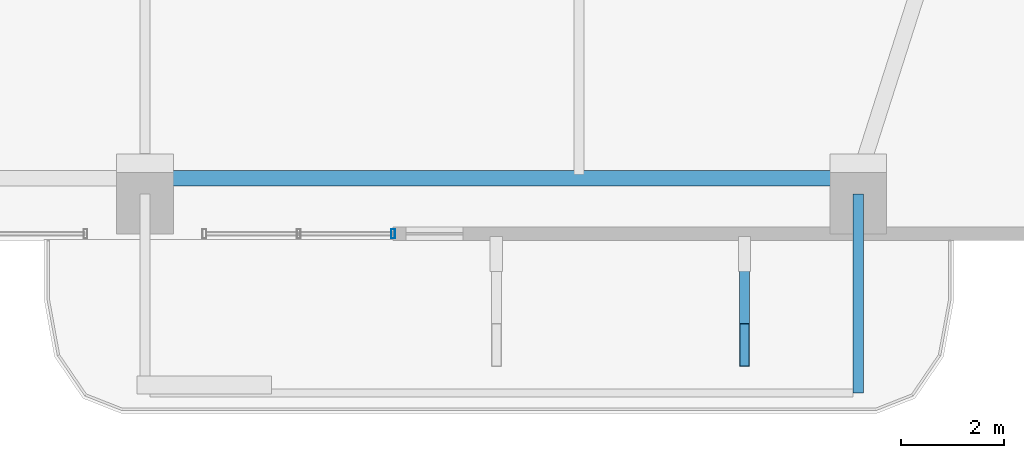
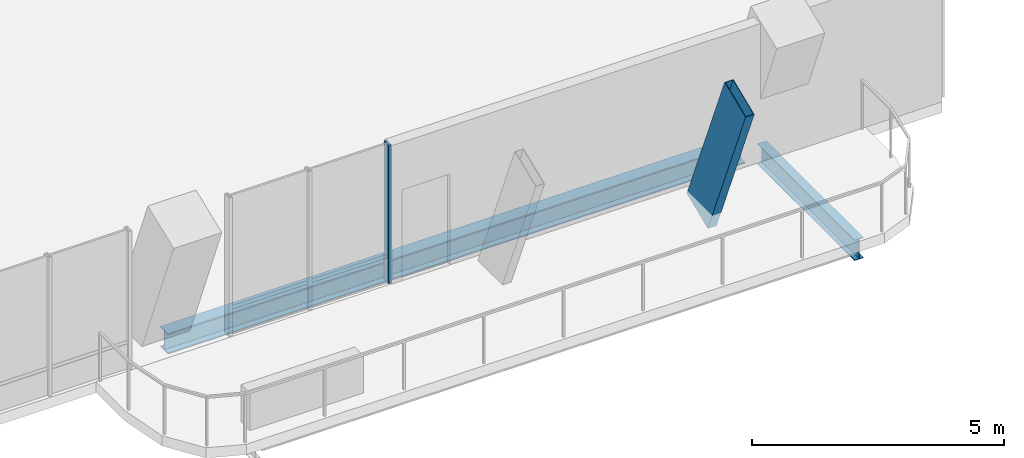
# One storey, part 8 of 24: 2 beams, 2 members, 1 element without a shape of its own.
"""IFC4 building model written with IfcOpenShell, lengths in metres."""

from ifc_helpers import new_model, si_unit, direction, frame, origin, origin_2d, place, context, subcontext, project, spatial, hollow_rectangle, i_section, extrude, material, layer, layer_set, material_profile, profile_set, type_object, element, aggregate, save


model = new_model("IFC4")

# Units and contexts
model_context = context("Model", 3, precision=1e-05, world=origin(), true_north=direction((0.0, 1.0)))
body_context = subcontext(model_context, "Body", "Model", "MODEL_VIEW")
ifc_project = project(units=[si_unit("LENGTHUNIT", "METRE"), si_unit("AREAUNIT", "SQUARE_METRE"), si_unit("VOLUMEUNIT", "CUBIC_METRE"), si_unit("PLANEANGLEUNIT", "RADIAN"), si_unit("MASSUNIT", "GRAM", prefix="KILO")], contexts=[model_context])

# Site, building, storey
site_placement = place(None, origin())
site = spatial("IfcSite", under=ifc_project, at=site_placement, CompositionType="ELEMENT")
building_placement = place(site_placement, origin())
building = spatial("IfcBuilding", under=site, at=building_placement, Name="Belovzor Exchange Tower", CompositionType="ELEMENT")
storey_placement = place(building_placement, frame((0.0, 0.0, 190.800048828125)))
storey = spatial("IfcBuildingStorey", under=building, at=storey_placement, Name="L47", CompositionType="ELEMENT", Elevation=190.800048828125)

# Beam
ifc_material_1 = material(Name="Steel S355", Category="steel")
ifc_material_profile_1 = material_profile(ifc_material_1, i_section(OverallWidth=0.199951171875, OverallDepth=0.5, WebThickness=0.01025390625, FlangeThickness=0.01611328125, at=origin_2d()))
ifc_profile_set_1 = profile_set([ifc_material_profile_1], Name="Steel S355")
beam_type_1 = type_object("IfcBeamType", Name="Planted Balcony Cantilever Beam IPE 500", PredefinedType="BEAM", material=ifc_profile_set_1)
beam_1_placement = place(storey_placement, frame((42.60009765625, 5.39697265625, -0.505126953125), z_axis=(0.0, -1.0, 0.0), x_axis=(1.0, 0.0, 0.0)))
element("IfcBeam", 1, at=beam_1_placement, inside=storey, type_object=beam_type_1, Name="BC-500 Planted Balcony Cantilever Beam IPE 500", PredefinedType="BEAM", context=body_context, shape_type="SweptSolid", body=[
    extrude(i_section(OverallWidth=0.199951171875, OverallDepth=0.5, WebThickness=0.01025390625, FlangeThickness=0.01611328125, at=origin_2d()), origin(), (0.0, 0.0, 1.0), 3.849853515625),
])

# Member
ifc_material_2 = material(Name="Extruded Architectural Terracotta on Steel S355 Carrier", Category="masonry")
ifc_material_profile_2 = material_profile(ifc_material_2, hollow_rectangle(XDim=0.199951171875, YDim=0.89990234375, WallThickness=0.011962890625, at=origin_2d()))
ifc_profile_set_2 = profile_set([ifc_material_profile_2], Name="Extruded Architectural Terracotta on Steel S355 Carrier")
member_type_1 = type_object("IfcMemberType", Name="Sweeping Terracotta Baguette Fin Assembly 1250", PredefinedType="USERDEFINED", material=ifc_profile_set_2)
member_1_placement = place(storey_placement, frame((40.39990234375, 3.97509765625, -0.255126953125), z_axis=(0.0, -0.384162484071, 0.923265501268), x_axis=(1.0, 0.0, 0.0)))
element("IfcMember", 2, at=member_1_placement, inside=storey, type_object=member_type_1, Name="FIN-TC125 Terracotta Facade Fin L47 S4", ObjectType="FIN", PredefinedType="USERDEFINED", context=body_context, shape_type="SweptSolid", body=[
    extrude(hollow_rectangle(XDim=0.199951171875, YDim=0.89990234375, WallThickness=0.011962890625, at=origin_2d()), origin(), (0.0, 0.0, 1.0), 3.904541015625),
])

# Curtain wall, member
ifc_material_3 = material(Name="Anodised Aluminium Framing", Category="aluminium")
ifc_layer = layer(ifc_material_3, 0.179931640625)
ifc_layer_set = layer_set([ifc_layer], Name="Anodised Aluminium Framing")
curtain_wall_type = type_object("IfcCurtainWallType", Name="Recessed Loggia Low-Iron Triple-Glazed Curtain Wall", PredefinedType="NOTDEFINED", material=ifc_layer_set)
curtain_wall_placement = place(storey_placement, origin())
curtain_wall = element("IfcCurtainWall", 3, at=curtain_wall_placement, inside=storey, type_object=curtain_wall_type, Name="CW3 Recessed Loggia Low-Iron Triple-Glazed Curtain Wall L47", PredefinedType="NOTDEFINED")
ifc_material_4 = material(Name="Steel S355", Category="steel")
ifc_material_profile_3 = material_profile(ifc_material_4, hollow_rectangle(XDim=0.074951171875, YDim=0.179931640625, WallThickness=0.0048828125, at=origin_2d()))
ifc_profile_set_3 = profile_set([ifc_material_profile_3], Name="Steel S355")
member_type_2 = type_object("IfcMemberType", Name="Thermally Broken Curtain Wall Mullion 180x75", PredefinedType="MULLION", material=ifc_profile_set_3)
member_2_placement = place(storey_placement, frame((33.60009765625, 4.6298828125, 0.0), z_axis=(0.0, 0.0, 1.0), x_axis=(-1.0, 0.0, 0.0)))
member_2 = element("IfcMember", 4, at=member_2_placement, type_object=member_type_2, Name="CW-M180 Curtain Wall Mullion 1", PredefinedType="MULLION", context=body_context, shape_type="SweptSolid", body=[
    extrude(hollow_rectangle(XDim=0.074951171875, YDim=0.179931640625, WallThickness=0.0048828125, at=origin_2d()), origin(), (0.0, 0.0, 1.0), 3.349853515625),
])
aggregate(curtain_wall, [member_2])

# Beam
ifc_material_5 = material(Name="Steel S355", Category="steel")
ifc_material_profile_4 = material_profile(ifc_material_5, i_section(OverallWidth=0.300048828125, OverallDepth=0.5, WebThickness=0.014404296875, FlangeThickness=0.028076171875, at=origin_2d()))
ifc_profile_set_4 = profile_set([ifc_material_profile_4], Name="Steel S355")
beam_type_2 = type_object("IfcBeamType", Name="Zone 3 Waist Primary Girder HEB 500", PredefinedType="BEAM", material=ifc_profile_set_4)
beam_2_placement = place(storey_placement, frame((29.10205078125, 5.699951171875, -0.505126953125), z_axis=(1.0, 0.0, 0.0), x_axis=(0.0, 1.0, 0.0)))
element("IfcBeam", 5, at=beam_2_placement, inside=storey, type_object=beam_type_2, Name="FG-Z3 Zone 3 Waist Primary Girder HEB 500", PredefinedType="BEAM", context=body_context, shape_type="SweptSolid", body=[
    extrude(i_section(OverallWidth=0.300048828125, OverallDepth=0.5, WebThickness=0.014404296875, FlangeThickness=0.028076171875, at=origin_2d()), origin(), (0.0, 0.0, 1.0), 13.195068359375),
])

save(model, "model.ifc")
